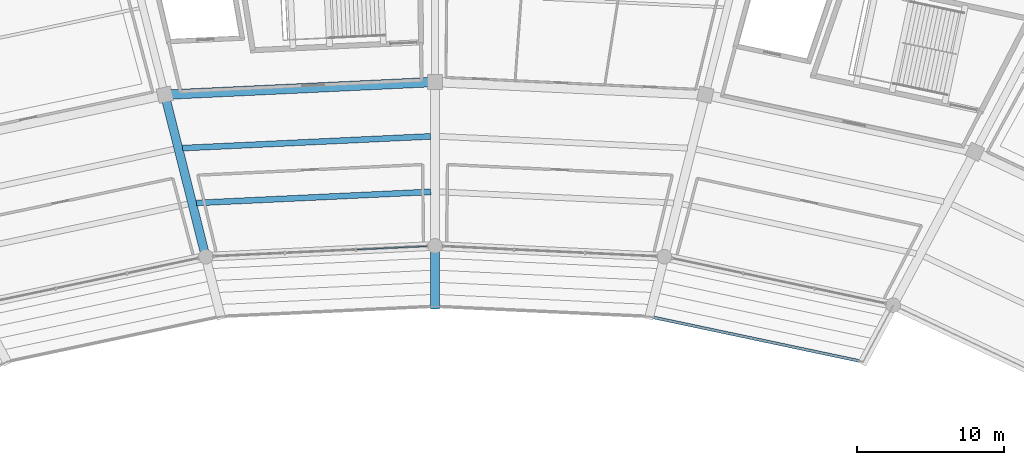
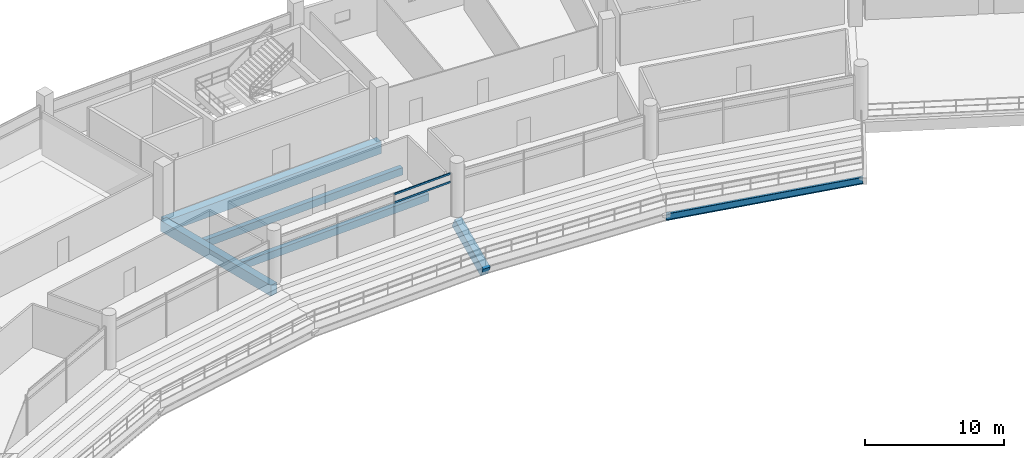
# One storey, part 94 of 171: 6 beams, 2 members, 1 element without a shape of its own.
"""IFC4 building model written with IfcOpenShell, lengths in metres."""

from ifc_helpers import new_model, si_unit, direction, frame, origin, origin_2d, place, context, subcontext, project, spatial, rectangle, hollow_rectangle, i_section, extrude, material, layer, layer_set, material_profile, profile_set, type_object, element, aggregate, save


model = new_model("IFC4")

# Units and contexts
model_context = context("Model", 3, precision=1e-05, world=origin(), true_north=direction((0.0, 1.0)))
body_context = subcontext(model_context, "Body", "Model", "MODEL_VIEW")
ifc_project = project(units=[si_unit("LENGTHUNIT", "METRE"), si_unit("AREAUNIT", "SQUARE_METRE"), si_unit("VOLUMEUNIT", "CUBIC_METRE"), si_unit("PLANEANGLEUNIT", "RADIAN"), si_unit("MASSUNIT", "GRAM", prefix="KILO")], contexts=[model_context])

# Site, building, storey
site_placement = place(None, origin())
site = spatial("IfcSite", under=ifc_project, at=site_placement, CompositionType="ELEMENT")
building_placement = place(site_placement, origin())
building = spatial("IfcBuilding", under=site, at=building_placement, Name="Kazemori Nagisa Stadium", CompositionType="ELEMENT")
storey_placement = place(building_placement, frame((0.0, 0.0, 15.639892578125)))
storey = spatial("IfcBuildingStorey", under=building, at=storey_placement, Name="L03", CompositionType="ELEMENT", Elevation=15.639892578125)

# Beams
ifc_material_1 = material(Name="Concrete C40/50 (Fc42)", Category="concrete")
ifc_material_profile_1 = material_profile(ifc_material_1, rectangle(XDim=0.60009765625, YDim=0.949951171875, at=origin_2d()), Name="RC-BM-600x950")
ifc_profile_set_1 = profile_set([ifc_material_profile_1], Name="Concrete C40/50 (Fc42)")
beam_type_1 = type_object("IfcBeamType", Name="Beam_BG-RC600X950", PredefinedType="BEAM", material=ifc_profile_set_1)
beam_1_placement = place(storey_placement, frame((107.35791015625, 164.040283203125, -0.73486328125), z_axis=(-0.244481205955, 0.969654031052, 0.0), x_axis=(-0.969654031052, -0.244481205955, 0.0)))
element("IfcBeam", 1, at=beam_1_placement, inside=storey, type_object=beam_type_1, Name="Radial girder BG-RC600X950 L03 R1-R2-09", PredefinedType="BEAM", context=body_context, shape_type="SweptSolid", body=[
    extrude(rectangle(XDim=0.60009765625, YDim=0.949951171875, at=origin_2d()), origin(), (0.0, 0.0, 1.0), 11.39404296875),
])
ifc_material_profile_2 = material_profile(ifc_material_1, rectangle(XDim=0.64990234375, YDim=1.050048828125, at=origin_2d()), Name="RC-BM-650x1050")
ifc_profile_set_2 = profile_set([ifc_material_profile_2], Name="Concrete C40/50 (Fc42)")
beam_type_2 = type_object("IfcBeamType", Name="Beam_BG-RC650X1050", PredefinedType="BEAM", material=ifc_profile_set_2)
beam_2_placement = place(storey_placement, frame((123.0, 175.9599609375, -0.784912109375), z_axis=(-0.9988839804, -0.047231278829, 0.0), x_axis=(0.047231278829, -0.9988839804, 0.0)))
element("IfcBeam", 2, at=beam_2_placement, inside=storey, type_object=beam_type_2, Name="Ring girder BG-RC650X1050 L03 R2-08", PredefinedType="BEAM", context=body_context, shape_type="SweptSolid", body=[
    extrude(rectangle(XDim=0.64990234375, YDim=1.050048828125, at=origin_2d()), origin(), (0.0, 0.0, 1.0), 18.4482421875),
])
ifc_material_profile_3 = material_profile(ifc_material_1, rectangle(XDim=0.39990234375, YDim=0.64990234375, at=origin_2d()), Name="RC-BM-400x650")
ifc_profile_set_3 = profile_set([ifc_material_profile_3], Name="Concrete C40/50 (Fc42)")
beam_type_3 = type_object("IfcBeamType", Name="Beam_BJ-RC400X650", PredefinedType="JOIST", material=ifc_profile_set_3)
beam_3_placement = place(storey_placement, frame((122.705322265625, 168.464111328125, -0.5849609375), z_axis=(-0.998883867028, -0.047233676462, 0.0), x_axis=(0.047233676462, -0.998883867028, 0.0)))
element("IfcBeam", 3, at=beam_3_placement, inside=storey, type_object=beam_type_3, Name="Concourse joist BJ-RC400X650 L03 B08-1", PredefinedType="JOIST", context=body_context, shape_type="SweptSolid", body=[
    extrude(rectangle(XDim=0.39990234375, YDim=0.64990234375, at=origin_2d()), origin(), (0.0, 0.0, 1.0), 15.9921875),
])
beam_4_placement = place(storey_placement, frame((122.705322265625, 172.248046875, -0.5849609375), z_axis=(-0.998884256715, -0.047225434754, 0.0), x_axis=(0.047225434754, -0.998884256715, 0.0)))
element("IfcBeam", 4, at=beam_4_placement, inside=storey, type_object=beam_type_3, Name="Concourse joist BJ-RC400X650 L03 B08-2", PredefinedType="JOIST", context=body_context, shape_type="SweptSolid", body=[
    extrude(rectangle(XDim=0.39990234375, YDim=0.64990234375, at=origin_2d()), origin(), (0.0, 0.0, 1.0), 16.935791015625),
])
ifc_material_2 = material(Name="Steel SN490B", Category="steel")
ifc_material_profile_4 = material_profile(ifc_material_2, i_section(OverallWidth=0.199951171875, OverallDepth=0.60009765625, WebThickness=0.010986328125, FlangeThickness=0.01708984375, FilletRadius=0.012939453125, at=origin_2d()), Name="H-600x200x11x17")
ifc_profile_set_4 = profile_set([ifc_material_profile_4], Name="Steel SN490B")
beam_type_4 = type_object("IfcBeamType", Name="Beam_BS-H600", PredefinedType="SPANDREL", material=ifc_profile_set_4)
beam_5_placement = place(storey_placement, frame((152.19287109375, 156.876708984375, -2.46484375), z_axis=(-0.978347151304, 0.206970653802, 0.0), x_axis=(-0.206970653802, -0.978347151304, 0.0)))
element("IfcBeam", 5, at=beam_5_placement, inside=storey, type_object=beam_type_4, Name="Club tier front edge beam 06", PredefinedType="SPANDREL", context=body_context, shape_type="SweptSolid", body=[
    extrude(i_section(OverallWidth=0.199951171875, OverallDepth=0.60009765625, WebThickness=0.010986328125, FlangeThickness=0.01708984375, FilletRadius=0.012939453125, at=origin_2d()), origin(), (0.0, 0.0, 1.0), 14.90185546875),
])
ifc_material_profile_5 = material_profile(ifc_material_1, rectangle(XDim=0.60009765625, YDim=0.89990234375, at=origin_2d()), Name="RC-RK-600x900")
ifc_profile_set_5 = profile_set([ifc_material_profile_5], Name="Concrete C40/50 (Fc42)")
beam_type_5 = type_object("IfcBeamType", Name="Beam_RK-RC600X900", PredefinedType="USERDEFINED", material=ifc_profile_set_5)
beam_6_placement = place(storey_placement, frame((123.0, 160.652099609375, -2.58984375), z_axis=(0.0, 0.908402313737, 0.418097161432), x_axis=(-1.0, 0.0, 0.0)))
element("IfcBeam", 6, at=beam_6_placement, inside=storey, type_object=beam_type_5, Name="Raker beam club RK2-08", ObjectType="RAKER BEAM", PredefinedType="USERDEFINED", context=body_context, shape_type="SweptSolid", body=[
    extrude(rectangle(XDim=0.60009765625, YDim=0.89990234375, at=origin_2d()), origin(), (0.0, 0.0, 1.0), 4.544189453125),
])

# Curtain wall, members
ifc_material_3 = material(Name="Anodised aluminium 6063-T5", Category="aluminium")
ifc_layer = layer(ifc_material_3, 0.2099609375, Name="Anodised aluminium 6063-T5", Category="aluminium")
ifc_layer_set = layer_set([ifc_layer], Name="Anodised aluminium 6063-T5")
curtain_wall_type = type_object("IfcCurtainWallType", Name="CW_L03B_73", PredefinedType="USERDEFINED", material=ifc_layer_set)
curtain_wall_placement = place(storey_placement, origin())
curtain_wall = element("IfcCurtainWall", 7, at=curtain_wall_placement, inside=storey, type_object=curtain_wall_type, Name="Unitised curtain wall CW-L03B-73 L03", ObjectType="UNITISED CURTAIN WALL", PredefinedType="USERDEFINED")
ifc_material_4 = material(Name="Aluminium 6063-T5 anodised", Category="aluminium")
ifc_material_profile_6 = material_profile(ifc_material_4, hollow_rectangle(XDim=0.080078125, YDim=0.159912109375, WallThickness=0.00390625, at=origin_2d()), Name="ALU-TRAN-80x160x4")
ifc_profile_set_6 = profile_set([ifc_material_profile_6], Name="Aluminium 6063-T5 anodised")
member_type = type_object("IfcMemberType", Name="Transom_T02", PredefinedType="USERDEFINED", material=ifc_profile_set_6)
member_1_placement = place(storey_placement, frame((122.445556640625, 164.75390625, 3.010009765625), z_axis=(-0.99888183829, -0.047276560097, 0.0), x_axis=(0.047276560097, -0.99888183829, 0.0)))
member_1 = element("IfcMember", 8, at=member_1_placement, type_object=member_type, Name="Curtain wall transom CW-L03B-73-T1-mid", ObjectType="TRANSOM", PredefinedType="USERDEFINED", context=body_context, shape_type="SweptSolid", body=[
    extrude(hollow_rectangle(XDim=0.080078125, YDim=0.159912109375, WallThickness=0.00390625, at=origin_2d()), origin(), (0.0, 0.0, 1.0), 4.8232421875),
])
member_2_placement = place(storey_placement, frame((122.445556640625, 164.75390625, 3.739990234375), z_axis=(-0.99888183829, -0.047276560097, 0.0), x_axis=(0.047276560097, -0.99888183829, 0.0)))
member_2 = element("IfcMember", 9, at=member_2_placement, type_object=member_type, Name="Curtain wall transom CW-L03B-73-T1-head", ObjectType="TRANSOM", PredefinedType="USERDEFINED", context=body_context, shape_type="SweptSolid", body=[
    extrude(hollow_rectangle(XDim=0.080078125, YDim=0.159912109375, WallThickness=0.00390625, at=origin_2d()), origin(), (0.0, 0.0, 1.0), 4.8232421875),
])
aggregate(curtain_wall, [member_1, member_2])

save(model, "model.ifc")
